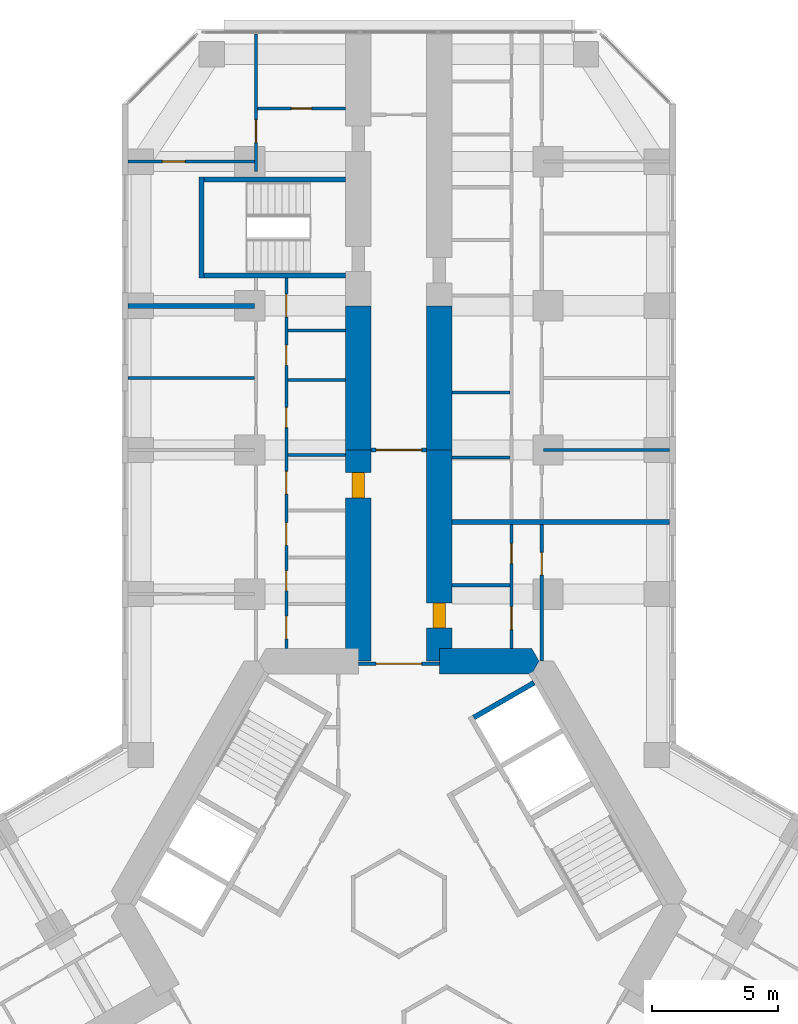
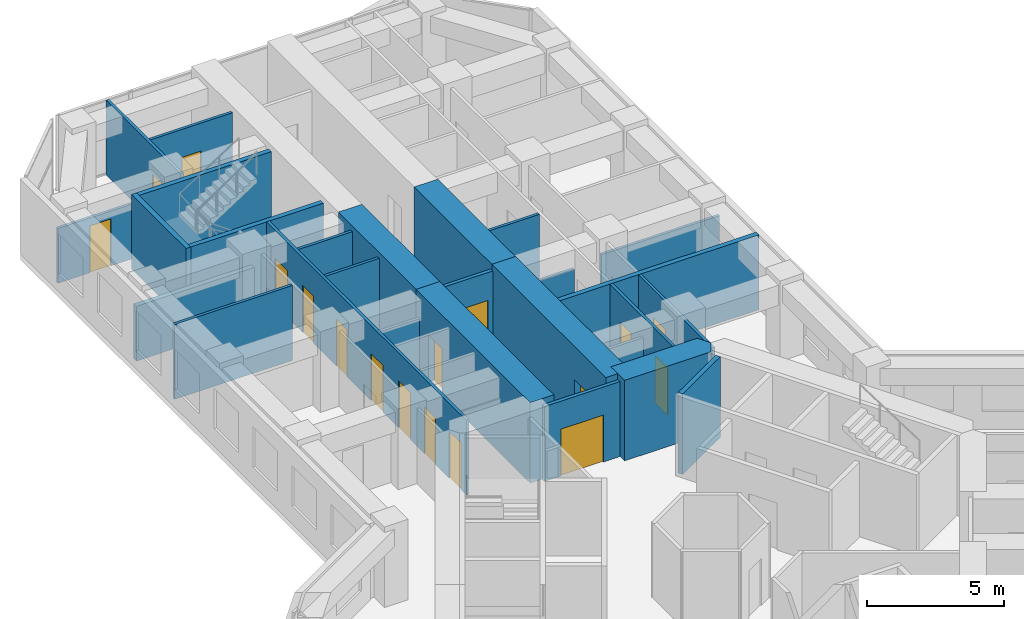
# One storey, part 18 of 21: 27 walls, 17 doors, 17 openings.
"""IFC4 building model written with IfcOpenShell, lengths in metres."""

from ifc_helpers import new_model, si_unit, direction, frame, frame_2d, origin, place, context, subcontext, project, spatial, polyline, rectangle, outline, extrude, material, layer, layer_set, type_object, element, fill, save


model = new_model("IFC4")

# Units and contexts
model_context = context("Model", 3, precision=1e-05, world=origin(), true_north=direction((0.0, 1.0)))
body_context = subcontext(model_context, "Body", "Model", "MODEL_VIEW")
ifc_project = project(units=[si_unit("LENGTHUNIT", "METRE"), si_unit("AREAUNIT", "SQUARE_METRE"), si_unit("VOLUMEUNIT", "CUBIC_METRE"), si_unit("PLANEANGLEUNIT", "RADIAN"), si_unit("MASSUNIT", "GRAM", prefix="KILO")], contexts=[model_context])

# Site, building, storey
site_placement = place(None, origin())
site = spatial("IfcSite", under=ifc_project, at=site_placement, CompositionType="ELEMENT")
building_placement = place(site_placement, origin())
building = spatial("IfcBuilding", under=site, at=building_placement, Name="Kosmar Iwan School Tower", CompositionType="ELEMENT")
storey_placement = place(building_placement, frame((0.0, 0.0, 57.39990234375)))
storey = spatial("IfcBuildingStorey", under=building, at=storey_placement, Name="L13", CompositionType="ELEMENT", Elevation=57.39990234375)

# Wall
ifc_material_1 = material(Name="Concrete C50/60", Category="concrete")
ifc_layer_1 = layer(ifc_material_1, 1.0)
ifc_layer_set_1 = layer_set([ifc_layer_1], Name="Core wall 1000")
wall_type_1 = type_object("IfcWallType", Name="Core wall 1000", PredefinedType="SHEAR", material=ifc_layer_set_1)
wall_1_placement = place(storey_placement, origin())
element("IfcWall", 1, at=wall_1_placement, inside=storey, type_object=wall_type_1, Name="Core wall F090a", PredefinedType="SHEAR", context=body_context, shape_type="SweptSolid", body=[
    extrude(outline(polyline([(1.60009765625, 9.10009765625), (5.25390625, 9.10009765625), (5.54248046875, 9.60009765625), (5.25390625, 10.10009765625), (1.60009765625, 10.10009765625), (1.60009765625, 9.10009765625)])), origin(), (0.0, 0.0, 1.0), 3.60009765625),
])

# Wall, opening, door
ifc_material_2 = material(Name="Concrete C50/60", Category="concrete")
ifc_layer_2 = layer(ifc_material_2, 1.0)
ifc_layer_set_2 = layer_set([ifc_layer_2], Name="Corridor buttress wall 1000")
wall_type_2 = type_object("IfcWallType", Name="Corridor buttress wall 1000", PredefinedType="SHEAR", material=ifc_layer_set_2)
wall_2_placement = place(storey_placement, frame((-1.60009765625, 9.60009765625, 0.0), z_axis=(0.0, 0.0, 1.0), x_axis=(0.0, 1.0, 0.0)))
wall_2 = element("IfcWall", 2, at=wall_2_placement, inside=storey, type_object=wall_type_2, Name="Corridor wall AL", PredefinedType="SHEAR", context=body_context, shape_type="SweptSolid", body=[
    extrude(rectangle(XDim=8.349853515625, YDim=1.0, at=frame_2d((4.1748046875, 0.0))), origin(), (0.0, 0.0, 1.0), 3.60009765625),
])
opening_1_placement = place(wall_2_placement, frame((6.449951171875, 0.0, 0.0)))
opening_1 = element("IfcOpeningElement", 3, at=opening_1_placement, cuts=wall_2, Name="Opening D1", PredefinedType="OPENING", context=body_context, shape_type="SweptSolid", body=[
    extrude(rectangle(XDim=1.0, YDim=2.10009765625, at=frame_2d((0.5, 1.050048828125))), frame((0.0, 0.511962890625, 0.0), z_axis=(0.0, -1.0, 0.0), x_axis=(1.0, 0.0, 0.0)), (0.0, 0.0, 1.0), 1.02392578125),
])
ifc_material_3 = material(Name="Timber fire door in steel frame", Category="steel")
door_type_1 = type_object("IfcDoorType", Name="Flat entrance door 1000x2100", OperationType="SINGLE_SWING_LEFT", PredefinedType="DOOR", material=ifc_material_3)
door_1_placement = place(opening_1_placement, origin())
door_1 = element("IfcDoor", 4, at=door_1_placement, inside=storey, type_object=door_type_1, Name="Flat L13-AL1 entrance door", OperationType="SINGLE_SWING_LEFT", OverallHeight=2.10009765625, OverallWidth=1.0, PredefinedType="DOOR", context=body_context, shape_type="SweptSolid", body=[
    extrude(rectangle(XDim=1.0, YDim=2.10009765625, at=frame_2d((0.5, 1.050048828125))), frame((0.0, 0.25, 0.0), z_axis=(0.0, -1.0, 0.0), x_axis=(1.0, 0.0, 0.0)), (0.0, 0.0, 1.0), 0.5),
])
fill(opening_1, door_1)

# Wall
wall_3_placement = place(storey_placement, frame((-1.60009765625, 17.949951171875, 0.0), z_axis=(0.0, 0.0, 1.0), x_axis=(0.0, 1.0, 0.0)))
element("IfcWall", 5, at=wall_3_placement, inside=storey, type_object=wall_type_2, Name="Corridor wall AL bay 2", PredefinedType="SHEAR", context=body_context, shape_type="SweptSolid", body=[
    extrude(rectangle(XDim=5.699951171875, YDim=1.0, at=frame_2d((2.85009765625, 0.0))), origin(), (0.0, 0.0, 1.0), 3.60009765625),
])

# Wall, opening, door
wall_4_placement = place(storey_placement, frame((1.60009765625, 9.60009765625, 0.0), z_axis=(0.0, 0.0, 1.0), x_axis=(0.0, 1.0, 0.0)))
wall_4 = element("IfcWall", 6, at=wall_4_placement, inside=storey, type_object=wall_type_2, Name="Corridor wall AR", PredefinedType="SHEAR", context=body_context, shape_type="SweptSolid", body=[
    extrude(rectangle(XDim=8.349853515625, YDim=1.0, at=frame_2d((4.1748046875, 0.0))), origin(), (0.0, 0.0, 1.0), 3.60009765625),
])
opening_2_placement = place(wall_4_placement, frame((1.300048828125, 0.0, 0.0)))
opening_2 = element("IfcOpeningElement", 7, at=opening_2_placement, cuts=wall_4, Name="Opening D1", PredefinedType="OPENING", context=body_context, shape_type="SweptSolid", body=[
    extrude(rectangle(XDim=1.0, YDim=2.10009765625, at=frame_2d((0.5, 1.050048828125))), frame((0.0, 0.511962890625, 0.0), z_axis=(0.0, -1.0, 0.0), x_axis=(1.0, 0.0, 0.0)), (0.0, 0.0, 1.0), 1.02392578125),
])
door_2_placement = place(opening_2_placement, origin())
door_2 = element("IfcDoor", 8, at=door_2_placement, inside=storey, type_object=door_type_1, Name="Flat L13-AR1 entrance door", OperationType="SINGLE_SWING_LEFT", OverallHeight=2.10009765625, OverallWidth=1.0, PredefinedType="DOOR", context=body_context, shape_type="SweptSolid", body=[
    extrude(rectangle(XDim=1.0, YDim=2.10009765625, at=frame_2d((0.5, 1.050048828125))), frame((0.0, 0.25, 0.0), z_axis=(0.0, -1.0, 0.0), x_axis=(1.0, 0.0, 0.0)), (0.0, 0.0, 1.0), 0.5),
])
fill(opening_2, door_2)

# Wall
wall_5_placement = place(storey_placement, frame((1.60009765625, 17.949951171875, 0.0), z_axis=(0.0, 0.0, 1.0), x_axis=(0.0, 1.0, 0.0)))
element("IfcWall", 9, at=wall_5_placement, inside=storey, type_object=wall_type_2, Name="Corridor wall AR bay 2", PredefinedType="SHEAR", context=body_context, shape_type="SweptSolid", body=[
    extrude(rectangle(XDim=5.699951171875, YDim=1.0, at=frame_2d((2.85009765625, 0.0))), origin(), (0.0, 0.0, 1.0), 3.60009765625),
])

# Wall, opening, door
ifc_material_4 = material(Name="Gypsum board on steel studs, fire-rated", Category="steel")
ifc_layer_3 = layer(ifc_material_4, 0.14990234375)
ifc_layer_set_3 = layer_set([ifc_layer_3], Name="Corridor end wall 150")
wall_type_3 = type_object("IfcWallType", Name="Corridor end wall 150", PredefinedType="PARTITIONING", material=ifc_layer_set_3)
wall_6_placement = place(storey_placement, frame((1.10009765625, 17.949951171875, 0.0), z_axis=(0.0, 0.0, 1.0), x_axis=(-1.0, 0.0, 0.0)))
wall_6 = element("IfcWall", 10, at=wall_6_placement, inside=storey, type_object=wall_type_3, Name="Partition L13-A-HW", PredefinedType="PARTITIONING", context=body_context, shape_type="SweptSolid", body=[
    extrude(rectangle(XDim=2.2001953125, YDim=0.14990234375, at=frame_2d((1.10009765625, 0.0))), origin(), (0.0, 0.0, 1.0), 3.35009765625),
])
opening_3_placement = place(wall_6_placement, frame((0.199951171875, 0.0, 0.0)))
opening_3 = element("IfcOpeningElement", 11, at=opening_3_placement, cuts=wall_6, Name="Opening D9", PredefinedType="OPENING", context=body_context, shape_type="SweptSolid", body=[
    extrude(rectangle(XDim=1.800048828125, YDim=2.10009765625, at=frame_2d((0.89990234375, 1.050048828125))), frame((0.0, 0.0869140625, 0.0), z_axis=(0.0, -1.0, 0.0), x_axis=(1.0, 0.0, 0.0)), (0.0, 0.0, 1.0), 0.173828125),
])
ifc_material_5 = material(Name="Steel framed glazed smoke door", Category="steel")
door_type_2 = type_object("IfcDoorType", Name="Corridor smoke door pair 1800x2100", OperationType="DOUBLE_DOOR_DOUBLE_SWING", PredefinedType="DOOR", material=ifc_material_5)
door_3_placement = place(opening_3_placement, origin())
door_3 = element("IfcDoor", 12, at=door_3_placement, inside=storey, type_object=door_type_2, Name="Entrance vestibule smoke doors L13-A", OperationType="DOUBLE_DOOR_DOUBLE_SWING", OverallHeight=2.10009765625, OverallWidth=1.800048828125, PredefinedType="DOOR", context=body_context, shape_type="SweptSolid", body=[
    extrude(rectangle(XDim=1.800048828125, YDim=2.10009765625, at=frame_2d((0.89990234375, 1.050048828125))), frame((0.0, 0.02490234375, 0.0), z_axis=(0.0, -1.0, 0.0), x_axis=(1.0, 0.0, 0.0)), (0.0, 0.0, 1.0), 0.050048828125),
])
fill(opening_3, door_3)

ifc_material_6 = material(Name="Steel framed glazed screen", Category="steel")
ifc_layer_4 = layer(ifc_material_6, 0.14990234375)
ifc_layer_set_4 = layer_set([ifc_layer_4], Name="Corridor screen wall 150")
wall_type_4 = type_object("IfcWallType", Name="Corridor screen wall 150", PredefinedType="PARTITIONING", material=ifc_layer_set_4)
wall_7_placement = place(storey_placement, frame((1.60009765625, 9.5, 0.0), z_axis=(0.0, 0.0, 1.0), x_axis=(-1.0, 0.0, 0.0)))
wall_7 = element("IfcWall", 13, at=wall_7_placement, inside=storey, type_object=wall_type_4, Name="Corridor screen A L13", PredefinedType="PARTITIONING", context=body_context, shape_type="SweptSolid", body=[
    extrude(rectangle(XDim=3.2001953125, YDim=0.14990234375, at=frame_2d((1.60009765625, 0.0))), origin(), (0.0, 0.0, 1.0), 3.35009765625),
])
opening_4_placement = place(wall_7_placement, frame((0.699951171875, 0.0, 0.0)))
opening_4 = element("IfcOpeningElement", 14, at=opening_4_placement, cuts=wall_7, Name="Opening D9", PredefinedType="OPENING", context=body_context, shape_type="SweptSolid", body=[
    extrude(rectangle(XDim=1.800048828125, YDim=2.10009765625, at=frame_2d((0.89990234375, 1.050048828125))), frame((0.0, 0.0869140625, 0.0), z_axis=(0.0, -1.0, 0.0), x_axis=(1.0, 0.0, 0.0)), (0.0, 0.0, 1.0), 0.173828125),
])
door_4_placement = place(opening_4_placement, origin())
door_4 = element("IfcDoor", 15, at=door_4_placement, inside=storey, type_object=door_type_2, Name="Corridor doors A L13", OperationType="DOUBLE_DOOR_DOUBLE_SWING", OverallHeight=2.10009765625, OverallWidth=1.800048828125, PredefinedType="DOOR", context=body_context, shape_type="SweptSolid", body=[
    extrude(rectangle(XDim=1.800048828125, YDim=2.10009765625, at=frame_2d((0.89990234375, 1.050048828125))), frame((0.0, 0.02490234375, 0.0), z_axis=(0.0, -1.0, 0.0), x_axis=(1.0, 0.0, 0.0)), (0.0, 0.0, 1.0), 0.050048828125),
])
fill(opening_4, door_4)

# Wall, openings, doors
ifc_material_7 = material(Name="Gypsum board on steel studs", Category="steel")
ifc_layer_5 = layer(ifc_material_7, 0.1201171875)
ifc_layer_set_5 = layer_set([ifc_layer_5], Name="Dwelling partition 120")
wall_type_5 = type_object("IfcWallType", Name="Dwelling partition 120", PredefinedType="PARTITIONING", material=ifc_layer_set_5)
wall_8_placement = place(storey_placement, frame((-4.449951171875, 10.10009765625, 0.0), z_axis=(0.0, 0.0, 1.0), x_axis=(0.0, 1.0, 0.0)))
wall_8 = element("IfcWall", 16, at=wall_8_placement, inside=storey, type_object=wall_type_5, Name="Partition L13-AL1-W1", PredefinedType="PARTITIONING", context=body_context, shape_type="SweptSolid", body=[
    extrude(rectangle(XDim=14.64990234375, YDim=0.1201171875, at=frame_2d((7.324951171875, 0.0))), origin(), (0.0, 0.0, 1.0), 3.35009765625),
])
opening_5_placement = place(wall_8_placement, frame((0.375, 0.0, 0.0)))
opening_5 = element("IfcOpeningElement", 17, at=opening_5_placement, cuts=wall_8, Name="Opening D2", PredefinedType="OPENING", context=body_context, shape_type="SweptSolid", body=[
    extrude(rectangle(XDim=0.89990234375, YDim=2.10009765625, at=frame_2d((0.449951171875, 1.050048828125))), frame((0.0, 0.072021484375, 0.0), z_axis=(0.0, -1.0, 0.0), x_axis=(1.0, 0.0, 0.0)), (0.0, 0.0, 1.0), 0.14404296875),
])
opening_6_placement = place(wall_8_placement, frame((2.27490234375, 0.0, 0.0)))
opening_6 = element("IfcOpeningElement", 18, at=opening_6_placement, cuts=wall_8, Name="Opening D3", PredefinedType="OPENING", context=body_context, shape_type="SweptSolid", body=[
    extrude(rectangle(XDim=0.800048828125, YDim=2.10009765625, at=frame_2d((0.39990234375, 1.050048828125))), frame((0.0, 0.072021484375, 0.0), z_axis=(0.0, -1.0, 0.0), x_axis=(1.0, 0.0, 0.0)), (0.0, 0.0, 1.0), 0.14404296875),
])
opening_7_placement = place(wall_8_placement, frame((4.074951171875, 0.0, 0.0)))
opening_7 = element("IfcOpeningElement", 19, at=opening_7_placement, cuts=wall_8, Name="Opening D2", PredefinedType="OPENING", context=body_context, shape_type="SweptSolid", body=[
    extrude(rectangle(XDim=0.89990234375, YDim=2.10009765625, at=frame_2d((0.449951171875, 1.050048828125))), frame((0.0, 0.072021484375, 0.0), z_axis=(0.0, -1.0, 0.0), x_axis=(1.0, 0.0, 0.0)), (0.0, 0.0, 1.0), 0.14404296875),
])
opening_8_placement = place(wall_8_placement, frame((6.10009765625, 0.0, 0.0)))
opening_8 = element("IfcOpeningElement", 20, at=opening_8_placement, cuts=wall_8, Name="Opening D2", PredefinedType="OPENING", context=body_context, shape_type="SweptSolid", body=[
    extrude(rectangle(XDim=0.89990234375, YDim=2.10009765625, at=frame_2d((0.449951171875, 1.050048828125))), frame((0.0, 0.072021484375, 0.0), z_axis=(0.0, -1.0, 0.0), x_axis=(1.0, 0.0, 0.0)), (0.0, 0.0, 1.0), 0.14404296875),
])
opening_9_placement = place(wall_8_placement, frame((8.728515625, 0.0, 0.0)))
opening_9 = element("IfcOpeningElement", 21, at=opening_9_placement, cuts=wall_8, Name="Opening D3", PredefinedType="OPENING", context=body_context, shape_type="SweptSolid", body=[
    extrude(rectangle(XDim=0.800048828125, YDim=2.10009765625, at=frame_2d((0.39990234375, 1.050048828125))), frame((0.0, 0.072021484375, 0.0), z_axis=(0.0, -1.0, 0.0), x_axis=(1.0, 0.0, 0.0)), (0.0, 0.0, 1.0), 0.14404296875),
])
opening_10_placement = place(wall_8_placement, frame((11.19287109375, 0.0, 0.0)))
opening_10 = element("IfcOpeningElement", 22, at=opening_10_placement, cuts=wall_8, Name="Opening D3", PredefinedType="OPENING", context=body_context, shape_type="SweptSolid", body=[
    extrude(rectangle(XDim=0.800048828125, YDim=2.10009765625, at=frame_2d((0.39990234375, 1.050048828125))), frame((0.0, 0.072021484375, 0.0), z_axis=(0.0, -1.0, 0.0), x_axis=(1.0, 0.0, 0.0)), (0.0, 0.0, 1.0), 0.14404296875),
])
opening_11_placement = place(wall_8_placement, frame((13.1142578125, 0.0, 0.0)))
opening_11 = element("IfcOpeningElement", 23, at=opening_11_placement, cuts=wall_8, Name="Opening D2", PredefinedType="OPENING", context=body_context, shape_type="SweptSolid", body=[
    extrude(rectangle(XDim=0.89990234375, YDim=2.10009765625, at=frame_2d((0.449951171875, 1.050048828125))), frame((0.0, 0.072021484375, 0.0), z_axis=(0.0, -1.0, 0.0), x_axis=(1.0, 0.0, 0.0)), (0.0, 0.0, 1.0), 0.14404296875),
])
ifc_material_8 = material(Name="Timber door in timber frame", Category="wood")
door_type_3 = type_object("IfcDoorType", Name="Internal door 900x2100", OperationType="SINGLE_SWING_LEFT", PredefinedType="DOOR", material=ifc_material_8)
door_5_placement = place(opening_5_placement, origin())
door_5 = element("IfcDoor", 24, at=door_5_placement, inside=storey, type_object=door_type_3, Name="Dressing room door L13-AL1-S1", OperationType="SINGLE_SWING_LEFT", OverallHeight=2.10009765625, OverallWidth=0.89990234375, PredefinedType="DOOR", context=body_context, shape_type="SweptSolid", body=[
    extrude(rectangle(XDim=0.89990234375, YDim=2.10009765625, at=frame_2d((0.449951171875, 1.050048828125))), frame((0.0, 0.02490234375, 0.0), z_axis=(0.0, -1.0, 0.0), x_axis=(1.0, 0.0, 0.0)), (0.0, 0.0, 1.0), 0.050048828125),
])
fill(opening_5, door_5)
door_6_placement = place(opening_7_placement, origin())
door_6 = element("IfcDoor", 25, at=door_6_placement, inside=storey, type_object=door_type_3, Name="Pantry door L13-AL1-S3", OperationType="SINGLE_SWING_LEFT", OverallHeight=2.10009765625, OverallWidth=0.89990234375, PredefinedType="DOOR", context=body_context, shape_type="SweptSolid", body=[
    extrude(rectangle(XDim=0.89990234375, YDim=2.10009765625, at=frame_2d((0.449951171875, 1.050048828125))), frame((0.0, 0.02490234375, 0.0), z_axis=(0.0, -1.0, 0.0), x_axis=(1.0, 0.0, 0.0)), (0.0, 0.0, 1.0), 0.050048828125),
])
fill(opening_7, door_6)
door_7_placement = place(opening_8_placement, origin())
door_7 = element("IfcDoor", 26, at=door_7_placement, inside=storey, type_object=door_type_3, Name="Entrance hall door L13-AL1-S4", OperationType="SINGLE_SWING_LEFT", OverallHeight=2.10009765625, OverallWidth=0.89990234375, PredefinedType="DOOR", context=body_context, shape_type="SweptSolid", body=[
    extrude(rectangle(XDim=0.89990234375, YDim=2.10009765625, at=frame_2d((0.449951171875, 1.050048828125))), frame((0.0, 0.02490234375, 0.0), z_axis=(0.0, -1.0, 0.0), x_axis=(1.0, 0.0, 0.0)), (0.0, 0.0, 1.0), 0.050048828125),
])
fill(opening_8, door_7)
door_8_placement = place(opening_11_placement, frame((0.89990234375, 0.0, 0.0), z_axis=(0.0, 0.0, 1.0), x_axis=(-1.0, 0.0, 0.0)))
door_8 = element("IfcDoor", 27, at=door_8_placement, inside=storey, type_object=door_type_3, Name="Utility room door L13-AL1-S7", OperationType="SINGLE_SWING_LEFT", OverallHeight=2.10009765625, OverallWidth=0.89990234375, PredefinedType="DOOR", context=body_context, shape_type="SweptSolid", body=[
    extrude(rectangle(XDim=0.89990234375, YDim=2.10009765625, at=frame_2d((0.449951171875, 1.050048828125))), frame((0.0, 0.02490234375, 0.0), z_axis=(0.0, -1.0, 0.0), x_axis=(1.0, 0.0, 0.0)), (0.0, 0.0, 1.0), 0.050048828125),
])
fill(opening_11, door_8)
ifc_material_9 = material(Name="Timber door in timber frame", Category="wood")
door_type_4 = type_object("IfcDoorType", Name="Sanitary room door 800x2100", OperationType="SINGLE_SWING_LEFT", PredefinedType="DOOR", material=ifc_material_9)
door_9_placement = place(opening_6_placement, origin())
door_9 = element("IfcDoor", 28, at=door_9_placement, inside=storey, type_object=door_type_4, Name="Store door L13-AL1-S2", OperationType="SINGLE_SWING_LEFT", OverallHeight=2.10009765625, OverallWidth=0.800048828125, PredefinedType="DOOR", context=body_context, shape_type="SweptSolid", body=[
    extrude(rectangle(XDim=0.800048828125, YDim=2.10009765625, at=frame_2d((0.39990234375, 1.050048828125))), frame((0.0, 0.02490234375, 0.0), z_axis=(0.0, -1.0, 0.0), x_axis=(1.0, 0.0, 0.0)), (0.0, 0.0, 1.0), 0.050048828125),
])
fill(opening_6, door_9)
door_10_placement = place(opening_9_placement, origin())
door_10 = element("IfcDoor", 29, at=door_10_placement, inside=storey, type_object=door_type_4, Name="Bathroom door L13-AL1-S5", OperationType="SINGLE_SWING_RIGHT", OverallHeight=2.10009765625, OverallWidth=0.800048828125, PredefinedType="DOOR", context=body_context, shape_type="SweptSolid", body=[
    extrude(rectangle(XDim=0.800048828125, YDim=2.10009765625, at=frame_2d((0.39990234375, 1.050048828125))), frame((0.0, 0.02490234375, 0.0), z_axis=(0.0, -1.0, 0.0), x_axis=(1.0, 0.0, 0.0)), (0.0, 0.0, 1.0), 0.050048828125),
])
fill(opening_9, door_10)
door_11_placement = place(opening_10_placement, origin())
door_11 = element("IfcDoor", 30, at=door_11_placement, inside=storey, type_object=door_type_4, Name="WC door L13-AL1-S6", OperationType="SINGLE_SWING_RIGHT", OverallHeight=2.10009765625, OverallWidth=0.800048828125, PredefinedType="DOOR", context=body_context, shape_type="SweptSolid", body=[
    extrude(rectangle(XDim=0.800048828125, YDim=2.10009765625, at=frame_2d((0.39990234375, 1.050048828125))), frame((0.0, 0.02490234375, 0.0), z_axis=(0.0, -1.0, 0.0), x_axis=(1.0, 0.0, 0.0)), (0.0, 0.0, 1.0), 0.050048828125),
])
fill(opening_10, door_11)

# Walls
wall_9_placement = place(storey_placement, frame((-5.7099609375, 20.800048828125, 0.0), z_axis=(0.0, 0.0, 1.0), x_axis=(-1.0, 0.0, 0.0)))
element("IfcWall", 31, at=wall_9_placement, inside=storey, type_object=wall_type_5, Name="Partition L13-AL1-X3", PredefinedType="PARTITIONING", context=body_context, shape_type="SweptSolid", body=[
    extrude(rectangle(XDim=4.989990234375, YDim=0.1201171875, at=frame_2d((2.4951171875, 0.0))), origin(), (0.0, 0.0, 1.0), 3.35009765625),
])
wall_10_placement = place(storey_placement, frame((-2.10009765625, 17.75, 0.0), z_axis=(0.0, 0.0, 1.0), x_axis=(-1.0, 0.0, 0.0)))
element("IfcWall", 32, at=wall_10_placement, inside=storey, type_object=wall_type_5, Name="Partition L13-AL1-Y4", PredefinedType="PARTITIONING", context=body_context, shape_type="SweptSolid", body=[
    extrude(rectangle(XDim=2.289794921875, YDim=0.1201171875, at=frame_2d((1.14501953125, 0.0))), origin(), (0.0, 0.0, 1.0), 2.4501953125),
])
for number, where, z_axis, x_axis, name in (
    (33, (-2.10009765625, 20.70703125, 0.0), (0.0, 0.0, 1.0), (-1.0, 0.0, 0.0), "Partition L13-AL1-Y5"),
    (34, (-2.10009765625, 22.678466796875, 0.0), (0.0, 0.0, 1.0), (-1.0, 0.0, 0.0), "Partition L13-AL1-Y6"),
):
    element("IfcWall", number, at=place(storey_placement, frame(where, z_axis=z_axis, x_axis=x_axis)), inside=storey, type_object=wall_type_5, Name=name, PredefinedType="PARTITIONING", context=body_context, shape_type="SweptSolid", body=[
        extrude(rectangle(XDim=2.289794921875, YDim=0.1201171875, at=frame_2d((1.14501953125, 0.0))), origin(), (0.0, 0.0, 1.0), 3.35009765625),
    ])

# Wall, opening, door
wall_11_placement = place(storey_placement, frame((-5.7099609375, 29.35009765625, 0.0), z_axis=(0.0, 0.0, 1.0), x_axis=(-1.0, 0.0, 0.0)))
wall_11 = element("IfcWall", 35, at=wall_11_placement, inside=storey, type_object=wall_type_5, Name="Partition L13-AL2-TX", PredefinedType="PARTITIONING", context=body_context, shape_type="SweptSolid", body=[
    extrude(rectangle(XDim=4.989990234375, YDim=0.1201171875, at=frame_2d((2.4951171875, 0.0))), origin(), (0.0, 0.0, 1.0), 2.4501953125),
])
opening_12_placement = place(wall_11_placement, frame((2.739990234375, 0.0, 0.0)))
opening_12 = element("IfcOpeningElement", 36, at=opening_12_placement, cuts=wall_11, Name="Opening D2", PredefinedType="OPENING", context=body_context, shape_type="SweptSolid", body=[
    extrude(rectangle(XDim=0.89990234375, YDim=2.10009765625, at=frame_2d((0.449951171875, 1.050048828125))), frame((0.0, 0.072021484375, 0.0), z_axis=(0.0, -1.0, 0.0), x_axis=(1.0, 0.0, 0.0)), (0.0, 0.0, 1.0), 0.14404296875),
])
door_12_placement = place(opening_12_placement, origin())
door_12 = element("IfcDoor", 37, at=door_12_placement, inside=storey, type_object=door_type_3, Name="Bedroom 1 door L13-AL2-T1", OperationType="SINGLE_SWING_RIGHT", OverallHeight=2.10009765625, OverallWidth=0.89990234375, PredefinedType="DOOR", context=body_context, shape_type="SweptSolid", body=[
    extrude(rectangle(XDim=0.89990234375, YDim=2.10009765625, at=frame_2d((0.449951171875, 1.050048828125))), frame((0.0, 0.02490234375, 0.0), z_axis=(0.0, -1.0, 0.0), x_axis=(1.0, 0.0, 0.0)), (0.0, 0.0, 1.0), 0.050048828125),
])
fill(opening_12, door_12)

wall_12_placement = place(storey_placement, frame((-5.64990234375, 28.949951171875, 0.0), z_axis=(0.0, 0.0, 1.0), x_axis=(0.0, 1.0, 0.0)))
wall_12 = element("IfcWall", 38, at=wall_12_placement, inside=storey, type_object=wall_type_5, Name="Partition L13-AL2-TW", PredefinedType="PARTITIONING", context=body_context, shape_type="SweptSolid", body=[
    extrude(rectangle(XDim=5.445068359375, YDim=0.1201171875, at=frame_2d((2.72265625, 0.0))), origin(), (0.0, 0.0, 1.0), 3.35009765625),
])
opening_13_placement = place(wall_12_placement, frame((1.14990234375, 0.0, 0.0)))
opening_13 = element("IfcOpeningElement", 39, at=opening_13_placement, cuts=wall_12, Name="Opening D2", PredefinedType="OPENING", context=body_context, shape_type="SweptSolid", body=[
    extrude(rectangle(XDim=0.89990234375, YDim=2.10009765625, at=frame_2d((0.449951171875, 1.050048828125))), frame((0.0, 0.072021484375, 0.0), z_axis=(0.0, -1.0, 0.0), x_axis=(1.0, 0.0, 0.0)), (0.0, 0.0, 1.0), 0.14404296875),
])
door_13_placement = place(opening_13_placement, origin())
door_13 = element("IfcDoor", 40, at=door_13_placement, inside=storey, type_object=door_type_3, Name="Entrance hall door L13-AL2-T3", OperationType="SINGLE_SWING_LEFT", OverallHeight=2.10009765625, OverallWidth=0.89990234375, PredefinedType="DOOR", context=body_context, shape_type="SweptSolid", body=[
    extrude(rectangle(XDim=0.89990234375, YDim=2.10009765625, at=frame_2d((0.449951171875, 1.050048828125))), frame((0.0, 0.02490234375, 0.0), z_axis=(0.0, -1.0, 0.0), x_axis=(1.0, 0.0, 0.0)), (0.0, 0.0, 1.0), 0.050048828125),
])
fill(opening_13, door_13)

wall_13_placement = place(storey_placement, frame((-2.10009765625, 31.449951171875, 0.0), z_axis=(0.0, 0.0, 1.0), x_axis=(-1.0, 0.0, 0.0)))
wall_13 = element("IfcWall", 41, at=wall_13_placement, inside=storey, type_object=wall_type_5, Name="Partition L13-AL2-TY", PredefinedType="PARTITIONING", context=body_context, shape_type="SweptSolid", body=[
    extrude(rectangle(XDim=3.489990234375, YDim=0.1201171875, at=frame_2d((1.7451171875, 0.0))), origin(), (0.0, 0.0, 1.0), 3.35009765625),
])
opening_14_placement = place(wall_13_placement, frame((1.344970703125, 0.0, 0.0)))
opening_14 = element("IfcOpeningElement", 42, at=opening_14_placement, cuts=wall_13, Name="Opening D3", PredefinedType="OPENING", context=body_context, shape_type="SweptSolid", body=[
    extrude(rectangle(XDim=0.800048828125, YDim=2.10009765625, at=frame_2d((0.39990234375, 1.050048828125))), frame((0.0, 0.072021484375, 0.0), z_axis=(0.0, -1.0, 0.0), x_axis=(1.0, 0.0, 0.0)), (0.0, 0.0, 1.0), 0.14404296875),
])
door_14_placement = place(opening_14_placement, origin())
door_14 = element("IfcDoor", 43, at=door_14_placement, inside=storey, type_object=door_type_4, Name="Bathroom door L13-AL2-T4", OperationType="SINGLE_SWING_LEFT", OverallHeight=2.10009765625, OverallWidth=0.800048828125, PredefinedType="DOOR", context=body_context, shape_type="SweptSolid", body=[
    extrude(rectangle(XDim=0.800048828125, YDim=2.10009765625, at=frame_2d((0.39990234375, 1.050048828125))), frame((0.0, 0.02490234375, 0.0), z_axis=(0.0, -1.0, 0.0), x_axis=(1.0, 0.0, 0.0)), (0.0, 0.0, 1.0), 0.050048828125),
])
fill(opening_14, door_14)

# Wall, openings, doors
wall_14_placement = place(storey_placement, frame((4.449951171875, 10.10009765625, 0.0), z_axis=(0.0, 0.0, 1.0), x_axis=(0.0, 1.0, 0.0)))
wall_14 = element("IfcWall", 44, at=wall_14_placement, inside=storey, type_object=wall_type_5, Name="Partition L13-AR1-W1", PredefinedType="PARTITIONING", context=body_context, shape_type="SweptSolid", body=[
    extrude(rectangle(XDim=4.89990234375, YDim=0.1201171875, at=frame_2d((2.449951171875, 0.0))), origin(), (0.0, 0.0, 1.0), 3.35009765625),
])
opening_15_placement = place(wall_14_placement, frame((0.75, 0.0, 0.0)))
opening_15 = element("IfcOpeningElement", 45, at=opening_15_placement, cuts=wall_14, Name="Opening D2", PredefinedType="OPENING", context=body_context, shape_type="SweptSolid", body=[
    extrude(rectangle(XDim=0.89990234375, YDim=2.10009765625, at=frame_2d((0.449951171875, 1.050048828125))), frame((0.0, 0.072021484375, 0.0), z_axis=(0.0, -1.0, 0.0), x_axis=(1.0, 0.0, 0.0)), (0.0, 0.0, 1.0), 0.14404296875),
])
opening_16_placement = place(wall_14_placement, frame((3.35009765625, 0.0, 0.0)))
opening_16 = element("IfcOpeningElement", 46, at=opening_16_placement, cuts=wall_14, Name="Opening D3", PredefinedType="OPENING", context=body_context, shape_type="SweptSolid", body=[
    extrude(rectangle(XDim=0.800048828125, YDim=2.10009765625, at=frame_2d((0.39990234375, 1.050048828125))), frame((0.0, 0.072021484375, 0.0), z_axis=(0.0, -1.0, 0.0), x_axis=(1.0, 0.0, 0.0)), (0.0, 0.0, 1.0), 0.14404296875),
])
door_15_placement = place(opening_15_placement, origin())
door_15 = element("IfcDoor", 47, at=door_15_placement, inside=storey, type_object=door_type_3, Name="Entrance hall door L13-AR1-S1", OperationType="SINGLE_SWING_RIGHT", OverallHeight=2.10009765625, OverallWidth=0.89990234375, PredefinedType="DOOR", context=body_context, shape_type="SweptSolid", body=[
    extrude(rectangle(XDim=0.89990234375, YDim=2.10009765625, at=frame_2d((0.449951171875, 1.050048828125))), frame((0.0, 0.02490234375, 0.0), z_axis=(0.0, -1.0, 0.0), x_axis=(1.0, 0.0, 0.0)), (0.0, 0.0, 1.0), 0.050048828125),
])
fill(opening_15, door_15)
door_16_placement = place(opening_16_placement, origin())
door_16 = element("IfcDoor", 48, at=door_16_placement, inside=storey, type_object=door_type_4, Name="Bathroom door L13-AR1-S2", OperationType="SINGLE_SWING_RIGHT", OverallHeight=2.10009765625, OverallWidth=0.800048828125, PredefinedType="DOOR", context=body_context, shape_type="SweptSolid", body=[
    extrude(rectangle(XDim=0.800048828125, YDim=2.10009765625, at=frame_2d((0.39990234375, 1.050048828125))), frame((0.0, 0.02490234375, 0.0), z_axis=(0.0, -1.0, 0.0), x_axis=(1.0, 0.0, 0.0)), (0.0, 0.0, 1.0), 0.050048828125),
])
fill(opening_16, door_16)

# Wall, opening, door
wall_15_placement = place(storey_placement, frame((5.64990234375, 9.60009765625, 0.0), z_axis=(0.0, 0.0, 1.0), x_axis=(0.0, 1.0, 0.0)))
wall_15 = element("IfcWall", 49, at=wall_15_placement, inside=storey, type_object=wall_type_5, Name="Partition L13-AR1-W2", PredefinedType="PARTITIONING", context=body_context, shape_type="SweptSolid", body=[
    extrude(rectangle(XDim=5.39990234375, YDim=0.1201171875, at=frame_2d((2.699951171875, 0.0))), origin(), (0.0, 0.0, 1.0), 3.35009765625),
])
opening_17_placement = place(wall_15_placement, frame((3.39990234375, 0.0, 0.0)))
opening_17 = element("IfcOpeningElement", 50, at=opening_17_placement, cuts=wall_15, Name="Opening D2", PredefinedType="OPENING", context=body_context, shape_type="SweptSolid", body=[
    extrude(rectangle(XDim=0.89990234375, YDim=2.10009765625, at=frame_2d((0.449951171875, 1.050048828125))), frame((0.0, 0.072021484375, 0.0), z_axis=(0.0, -1.0, 0.0), x_axis=(1.0, 0.0, 0.0)), (0.0, 0.0, 1.0), 0.14404296875),
])
door_17_placement = place(opening_17_placement, origin())
door_17 = element("IfcDoor", 51, at=door_17_placement, inside=storey, type_object=door_type_3, Name="Studio living room and kitchen door L13-AR1-F1", OperationType="SINGLE_SWING_RIGHT", OverallHeight=2.10009765625, OverallWidth=0.89990234375, PredefinedType="DOOR", context=body_context, shape_type="SweptSolid", body=[
    extrude(rectangle(XDim=0.89990234375, YDim=2.10009765625, at=frame_2d((0.449951171875, 1.050048828125))), frame((0.0, 0.02490234375, 0.0), z_axis=(0.0, -1.0, 0.0), x_axis=(1.0, 0.0, 0.0)), (0.0, 0.0, 1.0), 0.050048828125),
])
fill(opening_17, door_17)

# Walls
wall_16_placement = place(storey_placement, frame((2.10009765625, 12.60009765625, 0.0), z_axis=(0.0, 0.0, 1.0), x_axis=(1.0, 0.0, 0.0)))
element("IfcWall", 52, at=wall_16_placement, inside=storey, type_object=wall_type_5, Name="Partition L13-AR1-Y1", PredefinedType="PARTITIONING", context=body_context, shape_type="SweptSolid", body=[
    extrude(rectangle(XDim=2.289794921875, YDim=0.1201171875, at=frame_2d((1.14501953125, 0.0))), origin(), (0.0, 0.0, 1.0), 2.4501953125),
])
wall_17_placement = place(storey_placement, frame((5.7099609375, 17.949951171875, 0.0), z_axis=(0.0, 0.0, 1.0), x_axis=(1.0, 0.0, 0.0)))
element("IfcWall", 53, at=wall_17_placement, inside=storey, type_object=wall_type_5, Name="Partition L13-AR2-X1", PredefinedType="PARTITIONING", context=body_context, shape_type="SweptSolid", body=[
    extrude(rectangle(XDim=4.989990234375, YDim=0.1201171875, at=frame_2d((2.4951171875, 0.0))), origin(), (0.0, 0.0, 1.0), 2.4501953125),
])
wall_18_placement = place(storey_placement, frame((2.10009765625, 17.6572265625, 0.0), z_axis=(0.0, 0.0, 1.0), x_axis=(1.0, 0.0, 0.0)))
element("IfcWall", 54, at=wall_18_placement, inside=storey, type_object=wall_type_5, Name="Partition L13-AR2-Y1", PredefinedType="PARTITIONING", context=body_context, shape_type="SweptSolid", body=[
    extrude(rectangle(XDim=2.289794921875, YDim=0.1201171875, at=frame_2d((1.14501953125, 0.0))), origin(), (0.0, 0.0, 1.0), 2.4501953125),
])
wall_19_placement = place(storey_placement, frame((2.10009765625, 20.21435546875, 0.0), z_axis=(0.0, 0.0, 1.0), x_axis=(1.0, 0.0, 0.0)))
element("IfcWall", 55, at=wall_19_placement, inside=storey, type_object=wall_type_5, Name="Partition L13-AR2-Y2", PredefinedType="PARTITIONING", context=body_context, shape_type="SweptSolid", body=[
    extrude(rectangle(XDim=2.289794921875, YDim=0.1201171875, at=frame_2d((1.14501953125, 0.0))), origin(), (0.0, 0.0, 1.0), 3.35009765625),
])
ifc_material_10 = material(Name="Concrete C35/45", Category="concrete")
ifc_layer_6 = layer(ifc_material_10, 0.199951171875)
ifc_layer_set_6 = layer_set([ifc_layer_6], Name="Escape stair wall 200")
wall_type_6 = type_object("IfcWallType", Name="Escape stair wall 200", PredefinedType="SHEAR", material=ifc_layer_set_6)
for number, where, z_axis, x_axis, name in (
    (56, (-2.10009765625, 24.85009765625, 0.0), (0.0, 0.0, 1.0), (-1.0, 0.0, 0.0), "Stair WS1 wall"),
    (57, (-2.10009765625, 28.64990234375, 0.0), (0.0, 0.0, 1.0), (-1.0, 0.0, 0.0), "Stair WS1 wall"),
):
    element("IfcWall", number, at=place(storey_placement, frame(where, z_axis=z_axis, x_axis=x_axis)), inside=storey, type_object=wall_type_6, Name=name, PredefinedType="SHEAR", context=body_context, shape_type="SweptSolid", body=[
        extrude(rectangle(XDim=5.7998046875, YDim=0.199951171875, at=frame_2d((2.89990234375, 0.0))), origin(), (0.0, 0.0, 1.0), 3.330078125),
    ])
wall_20_placement = place(storey_placement, frame((-7.800048828125, 24.75, 0.0), z_axis=(0.0, 0.0, 1.0), x_axis=(0.0, 1.0, 0.0)))
element("IfcWall", 58, at=wall_20_placement, inside=storey, type_object=wall_type_6, Name="Stair WS1 wall", PredefinedType="SHEAR", context=body_context, shape_type="SweptSolid", body=[
    extrude(rectangle(XDim=4.0, YDim=0.199951171875, at=frame_2d((2.0, 0.0))), origin(), (0.0, 0.0, 1.0), 3.330078125),
])
ifc_material_11 = material(Name="Concrete C50/60", Category="concrete")
ifc_layer_7 = layer(ifc_material_11, 0.199951171875)
ifc_layer_set_7 = layer_set([ifc_layer_7], Name="Lift shaft wall 200")
wall_type_7 = type_object("IfcWallType", Name="Lift shaft wall 200", PredefinedType="SHEAR", material=ifc_layer_set_7)
wall_21_placement = place(storey_placement, frame((2.962646484375, 7.368408203125, 0.0), z_axis=(0.0, 0.0, 1.0), x_axis=(0.866027397988, 0.499996545922, 0.0)))
element("IfcWall", 59, at=wall_21_placement, inside=storey, type_object=wall_type_7, Name="Lift shaft wall AC 2", PredefinedType="SHEAR", context=body_context, shape_type="SweptSolid", body=[
    extrude(rectangle(XDim=2.75, YDim=0.199951171875, at=frame_2d((1.375, 0.0))), origin(), (0.0, 0.0, 1.0), 3.60009765625),
])
ifc_material_12 = material(Name="Concrete block masonry", Category="masonry")
ifc_layer_8 = layer(ifc_material_12, 0.199951171875)
ifc_layer_set_8 = layer_set([ifc_layer_8], Name="Party wall 200")
wall_type_8 = type_object("IfcWallType", Name="Party wall 200", PredefinedType="PARTITIONING", material=ifc_layer_set_8)
wall_22_placement = place(storey_placement, frame((-5.7099609375, 23.64990234375, 0.0), z_axis=(0.0, 0.0, 1.0), x_axis=(-1.0, 0.0, 0.0)))
element("IfcWall", 60, at=wall_22_placement, inside=storey, type_object=wall_type_8, Name="Partition L13-AL2-TB", PredefinedType="PARTITIONING", context=body_context, shape_type="SweptSolid", body=[
    extrude(rectangle(XDim=4.989990234375, YDim=0.199951171875, at=frame_2d((2.4951171875, 0.0))), origin(), (0.0, 0.0, 1.0), 2.4501953125),
])
wall_23_placement = place(storey_placement, frame((2.10009765625, 15.10009765625, 0.0), z_axis=(0.0, 0.0, 1.0), x_axis=(1.0, 0.0, 0.0)))
element("IfcWall", 61, at=wall_23_placement, inside=storey, type_object=wall_type_8, Name="Partition L13-AR2-PW", PredefinedType="PARTITIONING", context=body_context, shape_type="SweptSolid", body=[
    extrude(rectangle(XDim=8.599853515625, YDim=0.199951171875, at=frame_2d((4.2998046875, 0.0))), origin(), (0.0, 0.0, 1.0), 3.35009765625),
])

save(model, "model.ifc")
